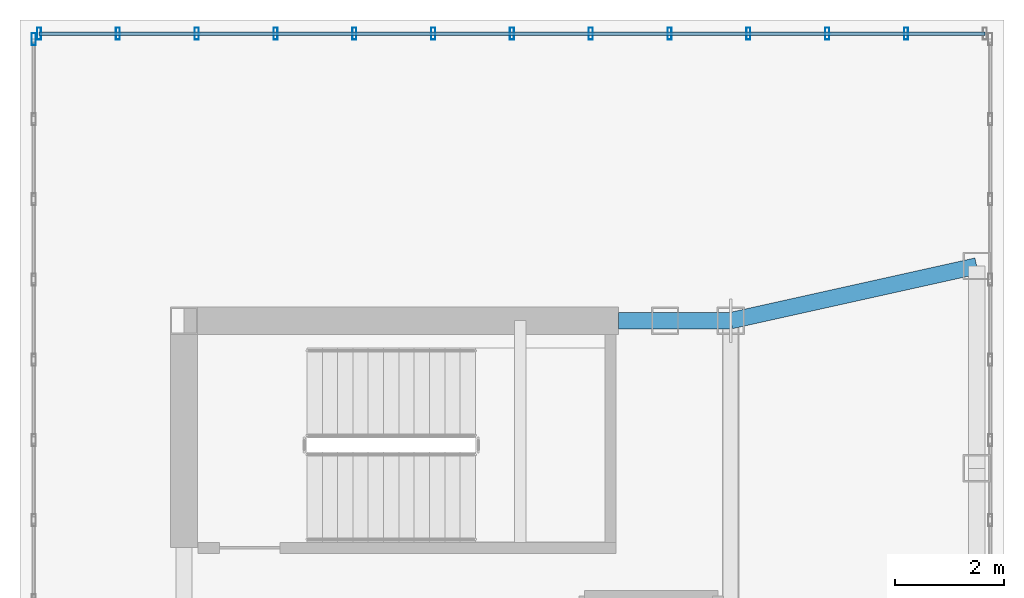
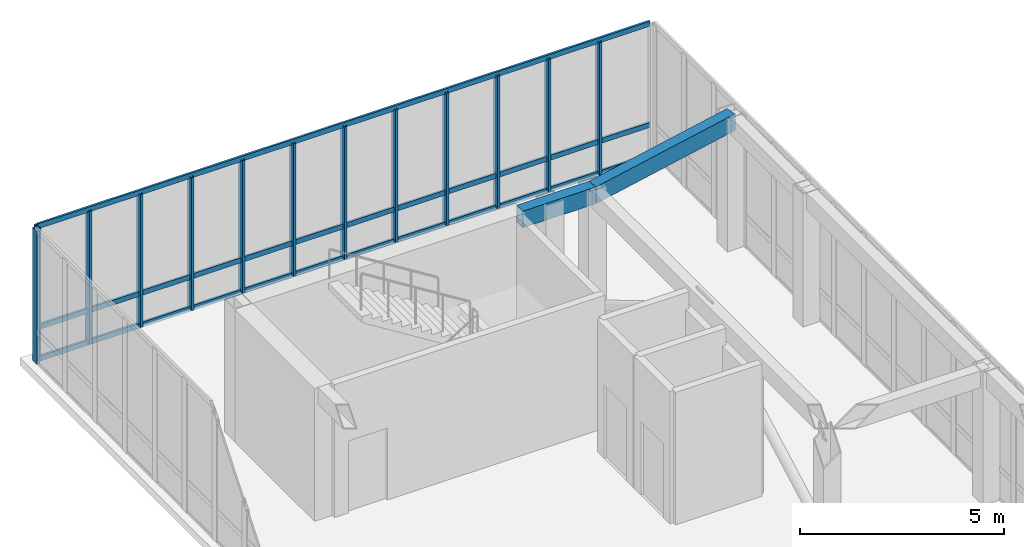
# One storey, part 9 of 13: 16 members, 2 beams, 2 elements without a shape of their own.
"""IFC4 building model written with IfcOpenShell, lengths in metres."""

import ifcopenshell
import ifcopenshell.guid

model = None  # the IFC model being written
_history = None  # IfcOwnerHistory: only IFC2X3 demands one
_inside = {}  # id of a spatial element -> (the spatial element, [elements in it])
_under = {}  # id of a project, library or spatial element -> (it, [spatial elements below it])
_declared = {}  # id of a project -> (the project, [libraries it declares])
_typed = {}  # id of a type object -> (the type object, [elements of that type])
_made_of = {}  # id of a material, layer set ... -> (it, [elements and type objects made of it])


def new_model(schema):
    """Start an empty IFC model of exactly this schema.

    Asked for "IFC4X3", IfcOpenShell would pick the latest addendum, in which some entities
    have other attributes; the version numbers below select the first issue.
    IFC2X3 requires an IfcOwnerHistory on every rooted entity: one is made here for all.
    """
    global model, _history
    if schema == "IFC4X3":
        model = ifcopenshell.file(schema_version=(4, 3, 0, 0))
    else:
        model = ifcopenshell.file(schema=schema)
    _inside.clear()
    _under.clear()
    _declared.clear()
    _typed.clear()
    _made_of.clear()
    _history = None
    if model.schema == "IFC2X3":
        org = make("IfcOrganization", Name="unknown")
        user = make(
            "IfcPersonAndOrganization",
            ThePerson=make("IfcPerson", FamilyName="unknown"),
            TheOrganization=org,
        )
        app = make(
            "IfcApplication",
            ApplicationDeveloper=org,
            Version="unknown",
            ApplicationFullName="unknown",
            ApplicationIdentifier="unknown",
        )
        _history = make(
            "IfcOwnerHistory",
            OwningUser=user,
            OwningApplication=app,
            ChangeAction="ADDED",
            CreationDate=0,
        )
    return model


def make(cls, **values):
    """One entity of the class cls with the attributes given. An attribute that is None is left unset."""
    return model.create_entity(
        cls, **{name: value for name, value in values.items() if value is not None}
    )


def rooted(cls, **values):
    """An entity with a GlobalId (a new one), such as an element, a storey or a relation."""
    return make(cls, GlobalId=ifcopenshell.guid.new(), OwnerHistory=_history, **values)


def si_unit(unit_type, name, prefix=None):
    """IfcSIUnit, for example si_unit("LENGTHUNIT", "METRE", prefix="MILLI")."""
    return make("IfcSIUnit", UnitType=unit_type, Prefix=prefix, Name=name)


def assignment(units):
    """IfcUnitAssignment: the units of a project."""
    return None if units is None else make("IfcUnitAssignment", Units=units)


def point(xyz):
    """IfcCartesianPoint."""
    return None if xyz is None else make("IfcCartesianPoint", Coordinates=xyz)


def direction(xyz):
    """IfcDirection."""
    return None if xyz is None else make("IfcDirection", DirectionRatios=xyz)


def frame(location, z_axis=None, x_axis=None):
    """IfcAxis2Placement3D, a coordinate frame: its origin and axes. An axis left out is left unset."""
    return make(
        "IfcAxis2Placement3D",
        Location=point(location),
        Axis=direction(z_axis),
        RefDirection=direction(x_axis),
    )


def frame_2d(location, x_axis=None):
    """IfcAxis2Placement2D, a coordinate frame in the plane: its origin and x axis."""
    return make(
        "IfcAxis2Placement2D", Location=point(location), RefDirection=direction(x_axis)
    )


def origin():
    """The frame at (0, 0, 0) with its axes left unset."""
    return frame((0.0, 0.0, 0.0))


def origin_2d():
    """The frame at (0, 0) in the plane with its x axis left unset."""
    return frame_2d((0.0, 0.0))


def place(relative_to, where):
    """IfcLocalPlacement: puts the frame where relative to a parent placement (None: the world)."""
    return make(
        "IfcLocalPlacement", PlacementRelTo=relative_to, RelativePlacement=where
    )


def context(
    kind, dimensions, precision=None, world=None, true_north=None, identifier=None
):
    """IfcGeometricRepresentationContext, for example the 3D "Model" context."""
    return make(
        "IfcGeometricRepresentationContext",
        ContextIdentifier=identifier,
        ContextType=kind,
        CoordinateSpaceDimension=dimensions,
        Precision=precision,
        WorldCoordinateSystem=world,
        TrueNorth=true_north,
    )


def subcontext(parent, identifier, kind, view, scale=None):
    """IfcGeometricRepresentationSubContext, for example "Body" below "Model"."""
    return make(
        "IfcGeometricRepresentationSubContext",
        ContextIdentifier=identifier,
        ContextType=kind,
        ParentContext=parent,
        TargetScale=scale,
        TargetView=view,
    )


def project(units=None, contexts=None):
    """IfcProject with its units and contexts."""
    return rooted(
        "IfcProject",
        Name="project",
        RepresentationContexts=contexts,
        UnitsInContext=assignment(units),
    )


def spatial(cls, under=None, at=None, **own):
    """A site, building, storey or space (cls), placed at a placement, below another one or the project."""
    s = rooted(cls, ObjectPlacement=at, **own)
    if under is not None:
        _under.setdefault(under.id(), (under, []))[1].append(s)
    return s


def profile(cls, at=None, kind="AREA", **sizes):
    """A parametric profile (cls). Its sizes go by their IFC names, for example OverallWidth=200.0."""
    return make(cls, ProfileType=kind, Position=at, **sizes)


def hollow_rectangle(**sizes):
    """IfcRectangleHollowProfileDef."""
    return profile("IfcRectangleHollowProfileDef", **sizes)


def extrude(swept, where, along, depth):
    """IfcExtrudedAreaSolid: the profile swept, set in the frame where, extruded along a direction by depth."""
    return make(
        "IfcExtrudedAreaSolid",
        SweptArea=swept,
        Position=where,
        ExtrudedDirection=direction(along),
        Depth=depth,
    )


def shape(context_of_items, identifier, shape_type, items):
    """IfcShapeRepresentation: the items that make up one representation, for example the "Body"."""
    return make(
        "IfcShapeRepresentation",
        ContextOfItems=context_of_items,
        RepresentationIdentifier=identifier,
        RepresentationType=shape_type,
        Items=items,
    )


def source(mapping_origin, context_of_items, identifier, shape_type, items):
    """IfcRepresentationMap: a shape defined once, which mapped items show again and again."""
    return make(
        "IfcRepresentationMap",
        MappingOrigin=mapping_origin,
        MappedRepresentation=shape(context_of_items, identifier, shape_type, items),
    )


def transform(
    local_origin,
    x_axis=None,
    y_axis=None,
    z_axis=None,
    scale=None,
    scale2=None,
    scale3=None,
    uniform=True,
):
    """IfcCartesianTransformationOperator3D, or its non-uniform kind. x_axis, y_axis, z_axis: its Axis1, 2, 3."""
    if uniform:
        return make(
            "IfcCartesianTransformationOperator3D",
            Axis1=direction(x_axis),
            Axis2=direction(y_axis),
            LocalOrigin=point(local_origin),
            Scale=scale,
            Axis3=direction(z_axis),
        )
    return make(
        "IfcCartesianTransformationOperator3DnonUniform",
        Axis1=direction(x_axis),
        Axis2=direction(y_axis),
        LocalOrigin=point(local_origin),
        Scale=scale,
        Axis3=direction(z_axis),
        Scale2=scale2,
        Scale3=scale3,
    )


def mapped(mapping_source, mapping_target):
    """IfcMappedItem: shows the shape of a source again, moved by a transform."""
    return make(
        "IfcMappedItem", MappingSource=mapping_source, MappingTarget=mapping_target
    )


def material(Name=None, Category=None):
    """IfcMaterial."""
    return make("IfcMaterial", Name=Name, Category=Category)


def layer(
    of_material, thickness, ventilated=None, Name=None, Category=None, Priority=None
):
    """IfcMaterialLayer: one layer of a wall or slab, of a material (None: an air gap)."""
    return make(
        "IfcMaterialLayer",
        Material=of_material,
        LayerThickness=thickness,
        IsVentilated=ventilated,
        Name=Name,
        Category=Category,
        Priority=Priority,
    )


def layer_set(layers, Name=None):
    """IfcMaterialLayerSet."""
    return make("IfcMaterialLayerSet", MaterialLayers=layers, LayerSetName=Name)


def material_profile(
    of_material, cross_section, Name=None, Category=None, Priority=None
):
    """IfcMaterialProfile: a cross section and its material."""
    return make(
        "IfcMaterialProfile",
        Name=Name,
        Material=of_material,
        Profile=cross_section,
        Priority=Priority,
        Category=Category,
    )


def profile_set(profiles, Name=None, composite=None):
    """IfcMaterialProfileSet."""
    return make(
        "IfcMaterialProfileSet",
        Name=Name,
        MaterialProfiles=profiles,
        CompositeProfile=composite,
    )


def made_of(thing, what):
    """Note that an element or type object is made of a material, layer set ...; save() writes the relation."""
    if what is not None:
        _made_of.setdefault(what.id(), (what, []))[1].append(thing)
    return thing


def type_object(cls, material=None, **own):
    """A type object (cls), such as IfcWallType, which elements share."""
    return made_of(rooted(cls, **own), material)


def element(
    cls,
    number,
    at=None,
    inside=None,
    cuts=None,
    type_object=None,
    material=None,
    context=None,
    identifier="Body",
    shape_type=None,
    held_by="IfcProductDefinitionShape",
    body=None,
    shapes=None,
    **own,
):
    """One element of the class cls, such as IfcWall. Its Tag is "e" and its number.

    at: its placement. inside: the storey or other place that contains it. cuts: it is an
    opening in that element (IfcRelVoidsElement). A single representation is given by context,
    identifier, shape_type and body (its items); several are given by shapes. held_by: the class
    of the entity that holds the representations. save() writes the other relations.
    """
    e = rooted(cls, Tag="e%d" % number, ObjectPlacement=at, **own)
    if body is not None:
        shapes = [shape(context, identifier, shape_type, body)]
    if shapes is not None:
        e.Representation = make(held_by, Representations=shapes)
    if inside is not None:
        _inside.setdefault(inside.id(), (inside, []))[1].append(e)
    if cuts is not None:
        rooted(
            "IfcRelVoidsElement", RelatingBuildingElement=cuts, RelatedOpeningElement=e
        )
    if type_object is not None:
        _typed.setdefault(type_object.id(), (type_object, []))[1].append(e)
    return made_of(e, material)


def aggregate(whole, parts):
    """IfcRelAggregates: a whole, such as a stair, and the parts it consists of."""
    return rooted("IfcRelAggregates", RelatingObject=whole, RelatedObjects=parts)


def save(model, path):
    """Write the relations noted so far, then the file.

    IfcRelAggregates (storeys below a building ...), IfcRelContainedInSpatialStructure (elements
    in a storey), IfcRelDefinesByType, IfcRelAssociatesMaterial and IfcRelDeclares: one each for
    every whole, place, type object, material and project.
    """
    for whole, parts in _under.values():
        aggregate(whole, parts)
    for where, things in _inside.values():
        rooted(
            "IfcRelContainedInSpatialStructure",
            RelatedElements=things,
            RelatingStructure=where,
        )
    for kind, things in _typed.values():
        rooted("IfcRelDefinesByType", RelatedObjects=things, RelatingType=kind)
    for what, things in _made_of.values():
        rooted("IfcRelAssociatesMaterial", RelatedObjects=things, RelatingMaterial=what)
    for by, libraries in _declared.values():
        rooted("IfcRelDeclares", RelatingContext=by, RelatedDefinitions=libraries)
    model.write(path)


model = new_model("IFC4")

# Units and contexts
model_context = context("Model", 3, precision=1e-05, world=origin(), true_north=direction((0.0, 1.0)))
body_context = subcontext(model_context, "Body", "Model", "MODEL_VIEW")
ifc_project = project(units=[si_unit("LENGTHUNIT", "METRE"), si_unit("AREAUNIT", "SQUARE_METRE"), si_unit("VOLUMEUNIT", "CUBIC_METRE"), si_unit("PLANEANGLEUNIT", "RADIAN"), si_unit("MASSUNIT", "GRAM", prefix="KILO")], contexts=[model_context])

# Site, building, storey
site_placement = place(None, origin())
site = spatial("IfcSite", under=ifc_project, at=site_placement, CompositionType="ELEMENT")
building_placement = place(site_placement, origin())
building = spatial("IfcBuilding", under=site, at=building_placement, Name="Kharzan Plaza Tower", CompositionType="ELEMENT")
storey_placement = place(building_placement, frame((0.0, 0.0, 277.199951171875)))
storey = spatial("IfcBuildingStorey", under=building, at=storey_placement, Name="L75-CROWN", CompositionType="ELEMENT", Elevation=277.199951171875)

# Beams
ifc_material_1 = material(Name="Steel S355", Category="steel")
ifc_material_profile_1 = material_profile(ifc_material_1, hollow_rectangle(XDim=0.300048828125, YDim=0.5, WallThickness=0.02001953125, at=origin_2d()), Name="RHS500x300x20")
ifc_profile_set_1 = profile_set([ifc_material_profile_1], Name="Steel S355")
beam_type = type_object("IfcBeamType", Name="BM-CRN500", PredefinedType="BEAM", material=ifc_profile_set_1)
shared_shape_1 = source(origin(), body_context, "Body", "SweptSolid", [
    extrude(hollow_rectangle(XDim=0.300048828125, YDim=0.5, WallThickness=0.02001953125, at=origin_2d()), origin(), (0.0, 0.0, 1.0), 2.050048828125),
])
beam_1_placement = place(storey_placement, frame((12.449951171875, 29.5, 3.719970703125), z_axis=(1.0, 0.0, 0.0), x_axis=(0.0, 1.0, 0.0)))
element("IfcBeam", 1, at=beam_1_placement, inside=storey, type_object=beam_type, Name="L75-CROWN CROWN FRAME Lantern Ring Beam CRB-N2", PredefinedType="BEAM", context=body_context, shape_type="MappedRepresentation", body=[
    mapped(shared_shape_1, transform((0.0, 0.0, 0.0), x_axis=(1.0, 0.0, 0.0), y_axis=(0.0, 1.0, 0.0), z_axis=(0.0, 0.0, 1.0))),
])
shared_shape_2 = source(origin(), body_context, "Body", "SweptSolid", [
    extrude(hollow_rectangle(XDim=0.300048828125, YDim=0.5, WallThickness=0.02001953125, at=origin_2d()), origin(), (0.0, 0.0, 1.0), 4.60986328125),
])
beam_2_placement = place(storey_placement, frame((14.5, 29.5, 3.719970703125), z_axis=(0.976187060184, 0.216930457819, 0.0), x_axis=(-0.216930457819, 0.976187060184, 0.0)))
element("IfcBeam", 2, at=beam_2_placement, inside=storey, type_object=beam_type, Name="L75-CROWN CROWN FRAME Lantern Ring Beam CRB-N3", PredefinedType="BEAM", context=body_context, shape_type="MappedRepresentation", body=[
    mapped(shared_shape_2, transform((0.0, 0.0, 0.0), x_axis=(1.0, 0.0, 0.0), y_axis=(0.0, 1.0, 0.0), z_axis=(0.0, 0.0, 1.0))),
])

# Curtain wall, members
ifc_material_2 = material(Name="Unitised Bronze-Anodized Aluminium and Low-E Glass", Category="aluminium")
ifc_layer = layer(ifc_material_2, 0.199951171875)
ifc_layer_set = layer_set([ifc_layer], Name="Unitised Bronze-Anodized Aluminium and Low-E Glass")
curtain_wall_type = type_object("IfcCurtainWallType", Name="CW-LANTERN-6", PredefinedType="NOTDEFINED", material=ifc_layer_set)
curtain_wall_1_placement = place(storey_placement, origin())
curtain_wall_1 = element("IfcCurtainWall", 3, at=curtain_wall_1_placement, inside=storey, type_object=curtain_wall_type, Name="L75-CROWN Lantern Crown Illuminated Curtain Wall 3", PredefinedType="NOTDEFINED")
ifc_material_3 = material(Name="Anodized Bronze Aluminium", Category="aluminium")
ifc_material_profile_2 = material_profile(ifc_material_3, hollow_rectangle(XDim=0.074951171875, YDim=0.219970703125, WallThickness=0.00390625, at=origin_2d()), Name="ALU-M220x75x4")
ifc_profile_set_2 = profile_set([ifc_material_profile_2], Name="Anodized Bronze Aluminium")
member_type_1 = type_object("IfcMemberType", Name="MEM-CW-MUL200", PredefinedType="MULLION", material=ifc_profile_set_2)
shared_shape_3 = source(origin(), body_context, "Body", "SweptSolid", [
    extrude(hollow_rectangle(XDim=0.074951171875, YDim=0.219970703125, WallThickness=0.00390625, at=origin_2d()), origin(), (0.0, 0.0, 1.0), 3.969970703125),
])
member_1_placement = place(storey_placement, frame((17.708251953125, 34.75, 0.0), z_axis=(0.0, 0.0, 1.0), x_axis=(1.0, 0.0, 0.0)))
member_1 = element("IfcMember", 4, at=member_1_placement, type_object=member_type_1, Name="L75-CROWN Curtain-Wall Mullion 01", PredefinedType="MULLION", context=body_context, shape_type="MappedRepresentation", body=[
    mapped(shared_shape_3, transform((0.0, 0.0, 0.0), x_axis=(1.0, 0.0, 0.0), y_axis=(0.0, 1.0, 0.0), z_axis=(0.0, 0.0, 1.0))),
])
member_2_placement = place(storey_placement, frame((16.2666015625, 34.75, 0.0), z_axis=(0.0, 0.0, 1.0), x_axis=(1.0, 0.0, 0.0)))
member_2 = element("IfcMember", 5, at=member_2_placement, type_object=member_type_1, Name="L75-CROWN Curtain-Wall Mullion 02", PredefinedType="MULLION", context=body_context, shape_type="MappedRepresentation", body=[
    mapped(shared_shape_3, transform((0.0, 0.0, 0.0), x_axis=(1.0, 0.0, 0.0), y_axis=(0.0, 1.0, 0.0), z_axis=(0.0, 0.0, 1.0))),
])
member_3_placement = place(storey_placement, frame((14.824951171875, 34.75, 0.0), z_axis=(0.0, 0.0, 1.0), x_axis=(1.0, 0.0, 0.0)))
member_3 = element("IfcMember", 6, at=member_3_placement, type_object=member_type_1, Name="L75-CROWN Curtain-Wall Mullion 03", PredefinedType="MULLION", context=body_context, shape_type="MappedRepresentation", body=[
    mapped(shared_shape_3, transform((0.0, 0.0, 0.0), x_axis=(1.0, 0.0, 0.0), y_axis=(0.0, 1.0, 0.0), z_axis=(0.0, 0.0, 1.0))),
])
member_4_placement = place(storey_placement, frame((13.38330078125, 34.75, 0.0), z_axis=(0.0, 0.0, 1.0), x_axis=(1.0, 0.0, 0.0)))
member_4 = element("IfcMember", 7, at=member_4_placement, type_object=member_type_1, Name="L75-CROWN Curtain-Wall Mullion 04", PredefinedType="MULLION", context=body_context, shape_type="MappedRepresentation", body=[
    mapped(shared_shape_3, transform((0.0, 0.0, 0.0), x_axis=(1.0, 0.0, 0.0), y_axis=(0.0, 1.0, 0.0), z_axis=(0.0, 0.0, 1.0))),
])
member_5_placement = place(storey_placement, frame((11.941650390625, 34.75, 0.0), z_axis=(0.0, 0.0, 1.0), x_axis=(1.0, 0.0, 0.0)))
member_5 = element("IfcMember", 8, at=member_5_placement, type_object=member_type_1, Name="L75-CROWN Curtain-Wall Mullion 05", PredefinedType="MULLION", context=body_context, shape_type="MappedRepresentation", body=[
    mapped(shared_shape_3, transform((0.0, 0.0, 0.0), x_axis=(1.0, 0.0, 0.0), y_axis=(0.0, 1.0, 0.0), z_axis=(0.0, 0.0, 1.0))),
])
member_6_placement = place(storey_placement, frame((10.5, 34.75, 0.0), z_axis=(0.0, 0.0, 1.0), x_axis=(1.0, 0.0, 0.0)))
member_6 = element("IfcMember", 9, at=member_6_placement, type_object=member_type_1, Name="L75-CROWN Curtain-Wall Mullion 06", PredefinedType="MULLION", context=body_context, shape_type="MappedRepresentation", body=[
    mapped(shared_shape_3, transform((0.0, 0.0, 0.0), x_axis=(1.0, 0.0, 0.0), y_axis=(0.0, 1.0, 0.0), z_axis=(0.0, 0.0, 1.0))),
])
member_7_placement = place(storey_placement, frame((9.058349609375, 34.75, 0.0), z_axis=(0.0, 0.0, 1.0), x_axis=(1.0, 0.0, 0.0)))
member_7 = element("IfcMember", 10, at=member_7_placement, type_object=member_type_1, Name="L75-CROWN Curtain-Wall Mullion 07", PredefinedType="MULLION", context=body_context, shape_type="MappedRepresentation", body=[
    mapped(shared_shape_3, transform((0.0, 0.0, 0.0), x_axis=(1.0, 0.0, 0.0), y_axis=(0.0, 1.0, 0.0), z_axis=(0.0, 0.0, 1.0))),
])
member_8_placement = place(storey_placement, frame((7.61669921875, 34.75, 0.0), z_axis=(0.0, 0.0, 1.0), x_axis=(1.0, 0.0, 0.0)))
member_8 = element("IfcMember", 11, at=member_8_placement, type_object=member_type_1, Name="L75-CROWN Curtain-Wall Mullion 08", PredefinedType="MULLION", context=body_context, shape_type="MappedRepresentation", body=[
    mapped(shared_shape_3, transform((0.0, 0.0, 0.0), x_axis=(1.0, 0.0, 0.0), y_axis=(0.0, 1.0, 0.0), z_axis=(0.0, 0.0, 1.0))),
])
member_9_placement = place(storey_placement, frame((6.175048828125, 34.75, 0.0), z_axis=(0.0, 0.0, 1.0), x_axis=(1.0, 0.0, 0.0)))
member_9 = element("IfcMember", 12, at=member_9_placement, type_object=member_type_1, Name="L75-CROWN Curtain-Wall Mullion 09", PredefinedType="MULLION", context=body_context, shape_type="MappedRepresentation", body=[
    mapped(shared_shape_3, transform((0.0, 0.0, 0.0), x_axis=(1.0, 0.0, 0.0), y_axis=(0.0, 1.0, 0.0), z_axis=(0.0, 0.0, 1.0))),
])
member_10_placement = place(storey_placement, frame((4.7333984375, 34.75, 0.0), z_axis=(0.0, 0.0, 1.0), x_axis=(1.0, 0.0, 0.0)))
member_10 = element("IfcMember", 13, at=member_10_placement, type_object=member_type_1, Name="L75-CROWN Curtain-Wall Mullion 10", PredefinedType="MULLION", context=body_context, shape_type="MappedRepresentation", body=[
    mapped(shared_shape_3, transform((0.0, 0.0, 0.0), x_axis=(1.0, 0.0, 0.0), y_axis=(0.0, 1.0, 0.0), z_axis=(0.0, 0.0, 1.0))),
])
member_11_placement = place(storey_placement, frame((3.291748046875, 34.75, 0.0), z_axis=(0.0, 0.0, 1.0), x_axis=(1.0, 0.0, 0.0)))
member_11 = element("IfcMember", 14, at=member_11_placement, type_object=member_type_1, Name="L75-CROWN Curtain-Wall Mullion 11", PredefinedType="MULLION", context=body_context, shape_type="MappedRepresentation", body=[
    mapped(shared_shape_3, transform((0.0, 0.0, 0.0), x_axis=(1.0, 0.0, 0.0), y_axis=(0.0, 1.0, 0.0), z_axis=(0.0, 0.0, 1.0))),
])
member_12_placement = place(storey_placement, frame((1.85009765625, 34.75, 0.0), z_axis=(0.0, 0.0, 1.0), x_axis=(1.0, 0.0, 0.0)))
member_12 = element("IfcMember", 15, at=member_12_placement, type_object=member_type_1, Name="L75-CROWN Curtain-Wall Mullion 12", PredefinedType="MULLION", context=body_context, shape_type="MappedRepresentation", body=[
    mapped(shared_shape_3, transform((0.0, 0.0, 0.0), x_axis=(1.0, 0.0, 0.0), y_axis=(0.0, 1.0, 0.0), z_axis=(0.0, 0.0, 1.0))),
])

# Curtain wall, member
curtain_wall_2_placement = place(storey_placement, origin())
curtain_wall_2 = element("IfcCurtainWall", 16, at=curtain_wall_2_placement, inside=storey, type_object=curtain_wall_type, Name="L75-CROWN Lantern Crown Illuminated Curtain Wall 4", PredefinedType="NOTDEFINED")
member_13_placement = place(storey_placement, frame((1.75, 34.64990234375, 0.0), z_axis=(0.0, 0.0, 1.0), x_axis=(1.0, 0.0, 0.0)))
member_13 = element("IfcMember", 17, at=member_13_placement, type_object=member_type_1, Name="L75-CROWN Curtain-Wall Mullion 00", PredefinedType="MULLION", context=body_context, shape_type="MappedRepresentation", body=[
    mapped(shared_shape_3, transform((0.0, 0.0, 0.0), x_axis=(1.0, 0.0, 0.0), y_axis=(0.0, 1.0, 0.0), z_axis=(0.0, 0.0, 1.0))),
])
aggregate(curtain_wall_2, [member_13])

# Member
ifc_material_profile_3 = material_profile(ifc_material_3, hollow_rectangle(XDim=0.06005859375, YDim=0.14990234375, WallThickness=0.00341796875, at=origin_2d()), Name="ALU-T150x60x3.5")
ifc_profile_set_3 = profile_set([ifc_material_profile_3], Name="Anodized Bronze Aluminium")
member_type_2 = type_object("IfcMemberType", Name="MEM-CW-TRN150", PredefinedType="USERDEFINED", material=ifc_profile_set_3)
shared_shape_4 = source(origin(), body_context, "Body", "SweptSolid", [
    extrude(hollow_rectangle(XDim=0.06005859375, YDim=0.14990234375, WallThickness=0.00341796875, at=origin_2d()), origin(), (0.0, 0.0, 1.0), 17.2998046875),
])
member_14_placement = place(storey_placement, frame((19.14990234375, 34.75, 0.0), z_axis=(-1.0, 0.0, 0.0), x_axis=(0.0, -1.0, 0.0)))
member_14 = element("IfcMember", 18, at=member_14_placement, type_object=member_type_2, Name="L75-CROWN Curtain-Wall Transom 1", ObjectType="TRANSOM", PredefinedType="USERDEFINED", context=body_context, shape_type="MappedRepresentation", body=[
    mapped(shared_shape_4, transform((0.0, 0.0, 0.0), x_axis=(1.0, 0.0, 0.0), y_axis=(0.0, 1.0, 0.0), z_axis=(0.0, 0.0, 1.0))),
])

member_15_placement = place(storey_placement, frame((19.14990234375, 34.75, 0.949951171875), z_axis=(-1.0, 0.0, 0.0), x_axis=(0.0, -1.0, 0.0)))
member_15 = element("IfcMember", 19, at=member_15_placement, type_object=member_type_2, Name="L75-CROWN Curtain-Wall Transom 2", ObjectType="TRANSOM", PredefinedType="USERDEFINED", context=body_context, shape_type="MappedRepresentation", body=[
    mapped(shared_shape_4, transform((0.0, 0.0, 0.0), x_axis=(1.0, 0.0, 0.0), y_axis=(0.0, 1.0, 0.0), z_axis=(0.0, 0.0, 1.0))),
])

member_16_placement = place(storey_placement, frame((19.14990234375, 34.75, 3.969970703125), z_axis=(-1.0, 0.0, 0.0), x_axis=(0.0, -1.0, 0.0)))
member_16 = element("IfcMember", 20, at=member_16_placement, type_object=member_type_2, Name="L75-CROWN Curtain-Wall Transom 3", ObjectType="TRANSOM", PredefinedType="USERDEFINED", context=body_context, shape_type="MappedRepresentation", body=[
    mapped(shared_shape_4, transform((0.0, 0.0, 0.0), x_axis=(1.0, 0.0, 0.0), y_axis=(0.0, 1.0, 0.0), z_axis=(0.0, 0.0, 1.0))),
])

aggregate(curtain_wall_1, [member_1, member_2, member_3, member_4, member_5, member_6, member_7, member_8, member_9, member_10, member_11, member_12, member_14, member_15, member_16])

save(model, "model.ifc")
